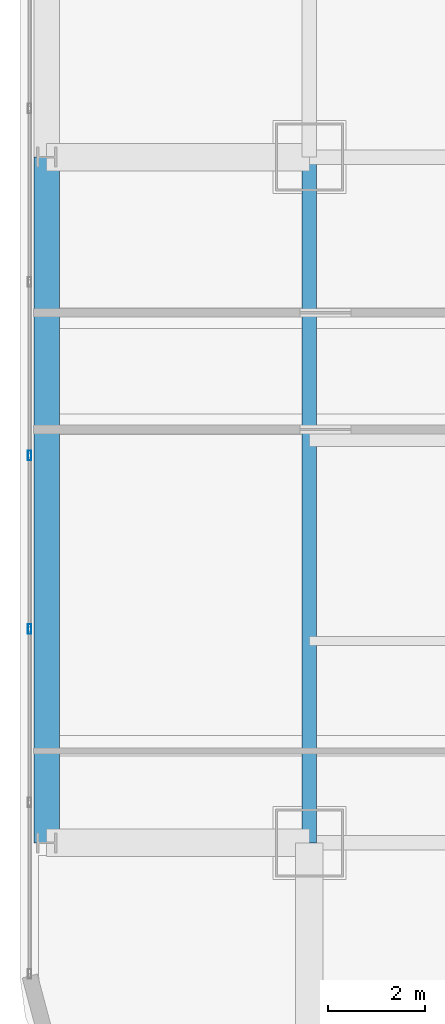
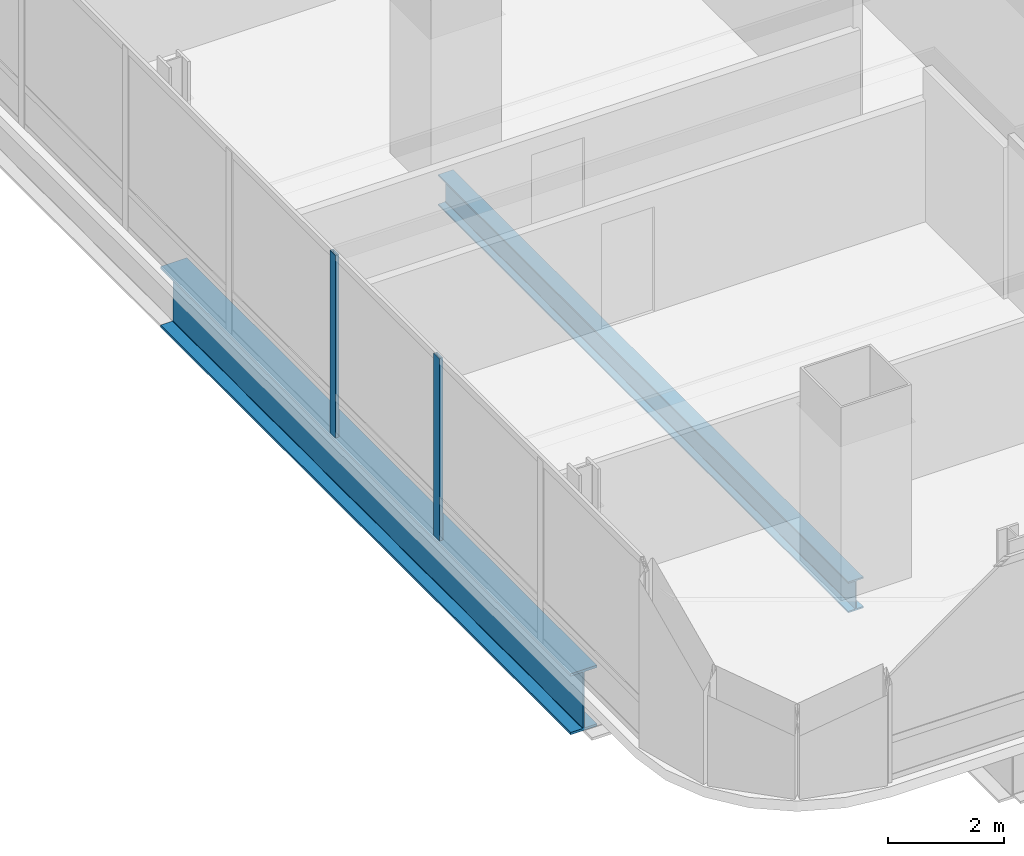
# One storey, part 5 of 38: 2 beams, 2 members, 1 element without a shape of its own.
"""IFC4 building model written with IfcOpenShell, lengths in metres."""

from ifc_helpers import new_model, si_unit, direction, frame, origin, origin_2d, place, context, subcontext, project, spatial, hollow_rectangle, i_section, extrude, material, material_profile, profile_set, type_object, element, aggregate, save


model = new_model("IFC4")

# Units and contexts
model_context = context("Model", 3, precision=1e-05, world=origin(), true_north=direction((0.0, 1.0)))
body_context = subcontext(model_context, "Body", "Model", "MODEL_VIEW")
ifc_project = project(units=[si_unit("LENGTHUNIT", "METRE"), si_unit("AREAUNIT", "SQUARE_METRE"), si_unit("VOLUMEUNIT", "CUBIC_METRE"), si_unit("PLANEANGLEUNIT", "RADIAN"), si_unit("MASSUNIT", "GRAM", prefix="KILO")], contexts=[model_context])

# Site, building, storey
site_placement = place(None, origin())
site = spatial("IfcSite", under=ifc_project, at=site_placement, CompositionType="ELEMENT")
building_placement = place(site_placement, origin())
building = spatial("IfcBuilding", under=site, at=building_placement, Name="Punatoya Terracotta Tower", CompositionType="ELEMENT")
storey_placement = place(building_placement, frame((0.0, 0.0, 188.39990234375)))
storey = spatial("IfcBuildingStorey", under=building, at=storey_placement, Name="L44", CompositionType="ELEMENT", Elevation=188.39990234375)

# Beams
ifc_material_1 = material(Name="Steel S355", Category="steel")
ifc_material_profile_1 = material_profile(ifc_material_1, i_section(OverallWidth=0.300048828125, OverallDepth=0.64990234375, WebThickness=0.01611328125, FlangeThickness=0.031005859375, FilletRadius=0.01806640625, at=origin_2d()))
ifc_profile_set_1 = profile_set([ifc_material_profile_1], Name="Steel S355")
beam_type_1 = type_object("IfcBeamType", Name="BM-PRI-650", PredefinedType="BEAM", material=ifc_profile_set_1)
beam_1_placement = place(storey_placement, frame((-19.10009765625, -17.5, -0.544921875), z_axis=(0.0, 1.0, 0.0), x_axis=(-1.0, 0.0, 0.0)))
element("IfcBeam", 1, at=beam_1_placement, inside=storey, type_object=beam_type_1, Name="BM-L44-RG-W1", PredefinedType="BEAM", context=body_context, shape_type="SweptSolid", body=[
    extrude(i_section(OverallWidth=0.300048828125, OverallDepth=0.64990234375, WebThickness=0.01611328125, FlangeThickness=0.031005859375, FilletRadius=0.01806640625, at=origin_2d()), origin(), (0.0, 0.0, 1.0), 14.10009765625),
])
ifc_material_2 = material(Name="Steel S460", Category="steel")
ifc_material_profile_2 = material_profile(ifc_material_2, i_section(OverallWidth=0.52001953125, OverallDepth=1.280029296875, WebThickness=0.031982421875, FlangeThickness=0.050048828125, FilletRadius=0.01806640625, at=origin_2d()))
ifc_profile_set_2 = profile_set([ifc_material_profile_2], Name="Steel S460")
beam_type_2 = type_object("IfcBeamType", Name="BM-TG-NCK", PredefinedType="BEAM", material=ifc_profile_set_2)
beam_2_placement = place(storey_placement, frame((-24.5, -17.5, -0.85986328125), z_axis=(0.0, 1.0, 0.0), x_axis=(-1.0, 0.0, 0.0)))
element("IfcBeam", 2, at=beam_2_placement, inside=storey, type_object=beam_type_2, Name="BM-L44-PER-W1", PredefinedType="BEAM", context=body_context, shape_type="SweptSolid", body=[
    extrude(i_section(OverallWidth=0.52001953125, OverallDepth=1.280029296875, WebThickness=0.031982421875, FlangeThickness=0.050048828125, FilletRadius=0.01806640625, at=origin_2d()), origin(), (0.0, 0.0, 1.0), 14.10009765625),
])

# Curtain wall, members
ifc_material_3 = material(Name="Aluminium 6063-T6 + Double Low-E Glass", Category="aluminium")
curtain_wall_type = type_object("IfcCurtainWallType", Name="CW-M2", PredefinedType="NOTDEFINED", material=ifc_material_3)
curtain_wall_placement = place(storey_placement, origin())
curtain_wall = element("IfcCurtainWall", 3, at=curtain_wall_placement, inside=storey, type_object=curtain_wall_type, Name="L44 Curtain Wall CW-L44-W13-1", PredefinedType="NOTDEFINED")
ifc_material_4 = material(Name="Aluminium 6063-T6", Category="aluminium")
ifc_material_profile_3 = material_profile(ifc_material_4, hollow_rectangle(XDim=0.072021484375, YDim=0.195068359375, WallThickness=0.00439453125, at=origin_2d()))
ifc_profile_set_3 = profile_set([ifc_material_profile_3], Name="Aluminium 6063-T6")
member_type = type_object("IfcMemberType", Name="CW-MUL-M2", PredefinedType="MULLION", material=ifc_profile_set_3)
member_1_placement = place(storey_placement, frame((-24.85009765625, -9.534912109375, 0.0), z_axis=(0.0, 0.0, 1.0), x_axis=(1.0, 0.0, 0.0)))
member_1 = element("IfcMember", 4, at=member_1_placement, type_object=member_type, Name="CW-L44-W13-1 Mullion 07", PredefinedType="MULLION", context=body_context, shape_type="SweptSolid", body=[
    extrude(hollow_rectangle(XDim=0.072021484375, YDim=0.195068359375, WallThickness=0.00439453125, at=origin_2d()), origin(), (0.0, 0.0, 1.0), 3.830078125),
])
member_2_placement = place(storey_placement, frame((-24.85009765625, -13.10205078125, 0.0), z_axis=(0.0, 0.0, 1.0), x_axis=(1.0, 0.0, 0.0)))
member_2 = element("IfcMember", 5, at=member_2_placement, type_object=member_type, Name="CW-L44-W13-1 Mullion 08", PredefinedType="MULLION", context=body_context, shape_type="SweptSolid", body=[
    extrude(hollow_rectangle(XDim=0.072021484375, YDim=0.195068359375, WallThickness=0.00439453125, at=origin_2d()), origin(), (0.0, 0.0, 1.0), 3.830078125),
])
aggregate(curtain_wall, [member_1, member_2])

save(model, "model.ifc")
